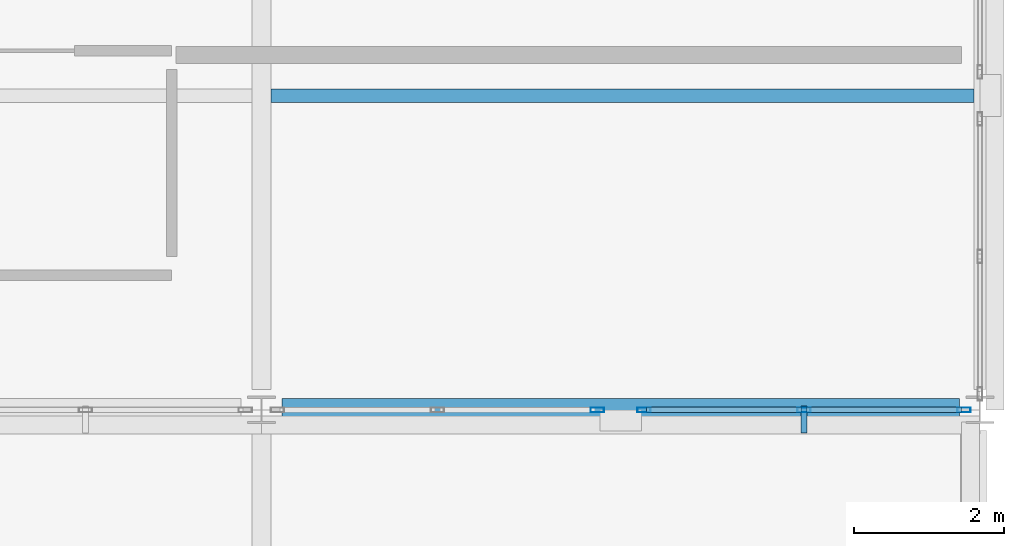
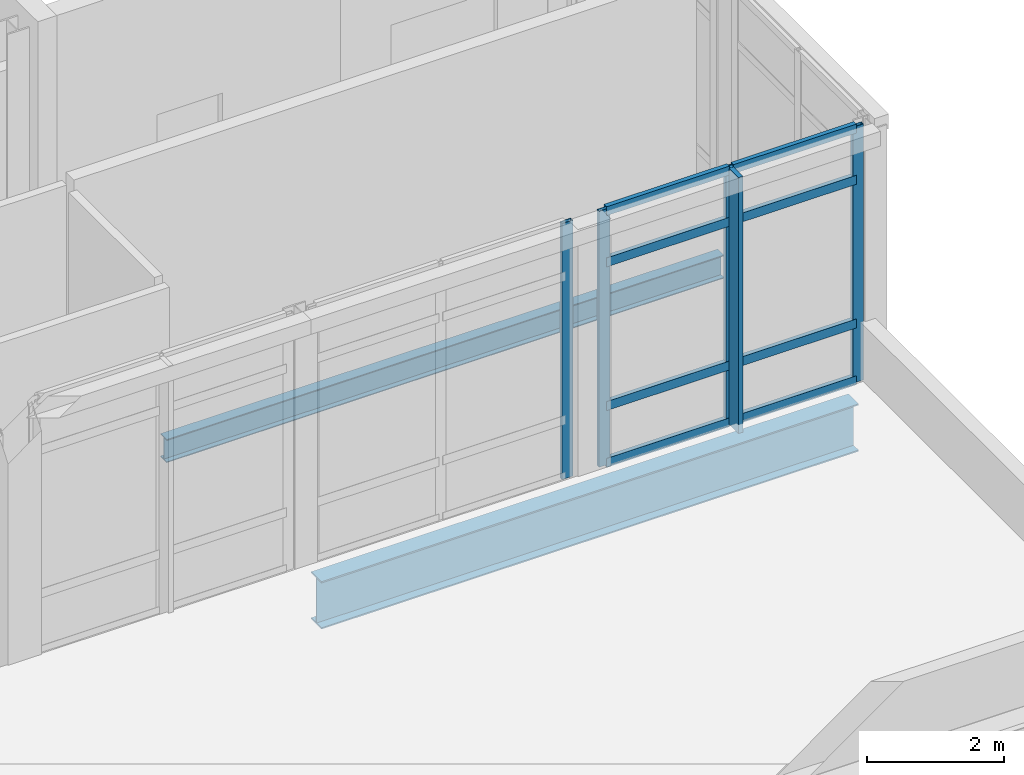
# One storey, part 22 of 52: 13 members, 2 beams, 2 elements without a shape of their own.
"""IFC4 building model written with IfcOpenShell, lengths in metres."""

from ifc_helpers import new_model, si_unit, direction, frame, origin, origin_2d, place, context, subcontext, project, spatial, rectangle, hollow_rectangle, i_section, extrude, material, layer, layer_set, material_profile, profile_set, type_object, element, aggregate, save


model = new_model("IFC4")

# Units and contexts
model_context = context("Model", 3, precision=1e-05, world=origin(), true_north=direction((0.0, 1.0)))
body_context = subcontext(model_context, "Body", "Model", "MODEL_VIEW")
ifc_project = project(units=[si_unit("LENGTHUNIT", "METRE"), si_unit("AREAUNIT", "SQUARE_METRE"), si_unit("VOLUMEUNIT", "CUBIC_METRE"), si_unit("PLANEANGLEUNIT", "RADIAN"), si_unit("MASSUNIT", "GRAM", prefix="KILO")], contexts=[model_context])

# Site, building, storey
site_placement = place(None, origin())
site = spatial("IfcSite", under=ifc_project, at=site_placement, CompositionType="ELEMENT")
building_placement = place(site_placement, origin())
building = spatial("IfcBuilding", under=site, at=building_placement, Name="Lornevale Opera House", CompositionType="ELEMENT")
storey_placement = place(building_placement, frame((0.0, 0.0, 15.0)))
storey = spatial("IfcBuildingStorey", under=building, at=storey_placement, Name="L04", CompositionType="ELEMENT", Elevation=15.0)

# Curtain wall, members
ifc_material_1 = material(Name="Anodized Oxide-Green Aluminium Framing", Category="aluminium")
ifc_layer = layer(ifc_material_1, 0.18505859375)
ifc_layer_set = layer_set([ifc_layer], Name="Anodized Oxide-Green Aluminium Framing")
curtain_wall_type = type_object("IfcCurtainWallType", Name="Conservatory Curtain Wall M2100", PredefinedType="NOTDEFINED", material=ifc_layer_set)
curtain_wall_1_placement = place(storey_placement, origin())
curtain_wall_1 = element("IfcCurtainWall", 1, at=curtain_wall_1_placement, inside=storey, type_object=curtain_wall_type, Name="Conservatory Curtain Wall M2100 CW-161", PredefinedType="NOTDEFINED")
ifc_material_profile_1 = material_profile(ifc_material_1, hollow_rectangle(XDim=0.06494140625, YDim=0.179931640625, WallThickness=0.0048828125, at=origin_2d()), Name="ALU65x180x5")
ifc_profile_set_1 = profile_set([ifc_material_profile_1], Name="Anodized Oxide-Green Aluminium Framing")
member_type_1 = type_object("IfcMemberType", Name="Curtain Wall Mullion 65x180", PredefinedType="MULLION", material=ifc_profile_set_1)
member_1_placement = place(storey_placement, frame((143.784912109375, 25.199951171875, 0.0), z_axis=(0.0, 0.0, 1.0), x_axis=(0.0, -1.0, 0.0)))
member_1 = element("IfcMember", 2, at=member_1_placement, type_object=member_type_1, Name="Curtain Wall Mullion 65x180 CW3289", PredefinedType="MULLION", context=body_context, shape_type="SweptSolid", body=[
    extrude(hollow_rectangle(XDim=0.06494140625, YDim=0.179931640625, WallThickness=0.0048828125, at=origin_2d()), origin(), (0.0, 0.0, 1.0), 4.56005859375),
])
member_2_placement = place(storey_placement, frame((141.648681640625, 25.199951171875, 0.0), z_axis=(0.0, 0.0, 1.0), x_axis=(0.0, -1.0, 0.0)))
member_2 = element("IfcMember", 3, at=member_2_placement, type_object=member_type_1, Name="Curtain Wall Mullion 65x180 CW3290", PredefinedType="MULLION", context=body_context, shape_type="SweptSolid", body=[
    extrude(hollow_rectangle(XDim=0.06494140625, YDim=0.179931640625, WallThickness=0.0048828125, at=origin_2d()), origin(), (0.0, 0.0, 1.0), 4.56005859375),
])
member_3_placement = place(storey_placement, frame((139.512451171875, 25.199951171875, 0.0), z_axis=(0.0, 0.0, 1.0), x_axis=(0.0, -1.0, 0.0)))
member_3 = element("IfcMember", 4, at=member_3_placement, type_object=member_type_1, Name="Curtain Wall Mullion 65x180 CW3291", PredefinedType="MULLION", context=body_context, shape_type="SweptSolid", body=[
    extrude(hollow_rectangle(XDim=0.06494140625, YDim=0.179931640625, WallThickness=0.0048828125, at=origin_2d()), origin(), (0.0, 0.0, 1.0), 4.56005859375),
])

# Curtain wall, member
curtain_wall_2_placement = place(storey_placement, origin())
curtain_wall_2 = element("IfcCurtainWall", 5, at=curtain_wall_2_placement, inside=storey, type_object=curtain_wall_type, Name="Conservatory Curtain Wall M2100 CW-162", PredefinedType="NOTDEFINED")
member_4_placement = place(storey_placement, frame((138.887451171875, 25.199951171875, 0.0), z_axis=(0.0, 0.0, 1.0), x_axis=(0.0, -1.0, 0.0)))
member_4 = element("IfcMember", 6, at=member_4_placement, type_object=member_type_1, Name="Curtain Wall Mullion 65x180 CW3306", PredefinedType="MULLION", context=body_context, shape_type="SweptSolid", body=[
    extrude(hollow_rectangle(XDim=0.06494140625, YDim=0.179931640625, WallThickness=0.0048828125, at=origin_2d()), origin(), (0.0, 0.0, 1.0), 4.56005859375),
])
aggregate(curtain_wall_2, [member_4])

# Member
ifc_material_profile_2 = material_profile(ifc_material_1, hollow_rectangle(XDim=0.074951171875, YDim=0.159912109375, WallThickness=0.0048828125, at=origin_2d()), Name="ALU75x160x5")
ifc_profile_set_2 = profile_set([ifc_material_profile_2], Name="Anodized Oxide-Green Aluminium Framing")
member_type_2 = type_object("IfcMemberType", Name="Curtain Wall Transom 75x160", PredefinedType="USERDEFINED", material=ifc_profile_set_2)
member_5_placement = place(storey_placement, frame((143.75244140625, 25.199951171875, 0.03759765625), z_axis=(-1.0, 0.0, 0.0), x_axis=(0.0, -1.0, 0.0)))
member_5 = element("IfcMember", 7, at=member_5_placement, type_object=member_type_2, Name="Curtain Wall Transom 75x160 CW3292", ObjectType="TRANSOM", PredefinedType="USERDEFINED", context=body_context, shape_type="SweptSolid", body=[
    extrude(hollow_rectangle(XDim=0.074951171875, YDim=0.159912109375, WallThickness=0.0048828125, at=origin_2d()), origin(), (0.0, 0.0, 1.0), 2.071044921875),
])

member_6_placement = place(storey_placement, frame((143.75244140625, 25.199951171875, 1.050048828125), z_axis=(-1.0, 0.0, 0.0), x_axis=(0.0, -1.0, 0.0)))
member_6 = element("IfcMember", 8, at=member_6_placement, type_object=member_type_2, Name="Curtain Wall Transom 75x160 CW3293", ObjectType="TRANSOM", PredefinedType="USERDEFINED", context=body_context, shape_type="SweptSolid", body=[
    extrude(hollow_rectangle(XDim=0.074951171875, YDim=0.159912109375, WallThickness=0.0048828125, at=origin_2d()), origin(), (0.0, 0.0, 1.0), 2.071044921875),
])

member_7_placement = place(storey_placement, frame((143.75244140625, 25.199951171875, 3.610107421875), z_axis=(-1.0, 0.0, 0.0), x_axis=(0.0, -1.0, 0.0)))
member_7 = element("IfcMember", 9, at=member_7_placement, type_object=member_type_2, Name="Curtain Wall Transom 75x160 CW3294", ObjectType="TRANSOM", PredefinedType="USERDEFINED", context=body_context, shape_type="SweptSolid", body=[
    extrude(hollow_rectangle(XDim=0.074951171875, YDim=0.159912109375, WallThickness=0.0048828125, at=origin_2d()), origin(), (0.0, 0.0, 1.0), 2.071044921875),
])

member_8_placement = place(storey_placement, frame((143.75244140625, 25.199951171875, 4.5224609375), z_axis=(-1.0, 0.0, 0.0), x_axis=(0.0, -1.0, 0.0)))
member_8 = element("IfcMember", 10, at=member_8_placement, type_object=member_type_2, Name="Curtain Wall Transom 75x160 CW3295", ObjectType="TRANSOM", PredefinedType="USERDEFINED", context=body_context, shape_type="SweptSolid", body=[
    extrude(hollow_rectangle(XDim=0.074951171875, YDim=0.159912109375, WallThickness=0.0048828125, at=origin_2d()), origin(), (0.0, 0.0, 1.0), 2.071044921875),
])

member_9_placement = place(storey_placement, frame((141.6162109375, 25.199951171875, 0.03759765625), z_axis=(-1.0, 0.0, 0.0), x_axis=(0.0, -1.0, 0.0)))
member_9 = element("IfcMember", 11, at=member_9_placement, type_object=member_type_2, Name="Curtain Wall Transom 75x160 CW3299", ObjectType="TRANSOM", PredefinedType="USERDEFINED", context=body_context, shape_type="SweptSolid", body=[
    extrude(hollow_rectangle(XDim=0.074951171875, YDim=0.159912109375, WallThickness=0.0048828125, at=origin_2d()), origin(), (0.0, 0.0, 1.0), 2.0712890625),
])

member_10_placement = place(storey_placement, frame((141.6162109375, 25.199951171875, 1.050048828125), z_axis=(-1.0, 0.0, 0.0), x_axis=(0.0, -1.0, 0.0)))
member_10 = element("IfcMember", 12, at=member_10_placement, type_object=member_type_2, Name="Curtain Wall Transom 75x160 CW3300", ObjectType="TRANSOM", PredefinedType="USERDEFINED", context=body_context, shape_type="SweptSolid", body=[
    extrude(hollow_rectangle(XDim=0.074951171875, YDim=0.159912109375, WallThickness=0.0048828125, at=origin_2d()), origin(), (0.0, 0.0, 1.0), 2.0712890625),
])

member_11_placement = place(storey_placement, frame((141.6162109375, 25.199951171875, 3.610107421875), z_axis=(-1.0, 0.0, 0.0), x_axis=(0.0, -1.0, 0.0)))
member_11 = element("IfcMember", 13, at=member_11_placement, type_object=member_type_2, Name="Curtain Wall Transom 75x160 CW3301", ObjectType="TRANSOM", PredefinedType="USERDEFINED", context=body_context, shape_type="SweptSolid", body=[
    extrude(hollow_rectangle(XDim=0.074951171875, YDim=0.159912109375, WallThickness=0.0048828125, at=origin_2d()), origin(), (0.0, 0.0, 1.0), 2.0712890625),
])

member_12_placement = place(storey_placement, frame((141.6162109375, 25.199951171875, 4.5224609375), z_axis=(-1.0, 0.0, 0.0), x_axis=(0.0, -1.0, 0.0)))
member_12 = element("IfcMember", 14, at=member_12_placement, type_object=member_type_2, Name="Curtain Wall Transom 75x160 CW3302", ObjectType="TRANSOM", PredefinedType="USERDEFINED", context=body_context, shape_type="SweptSolid", body=[
    extrude(hollow_rectangle(XDim=0.074951171875, YDim=0.159912109375, WallThickness=0.0048828125, at=origin_2d()), origin(), (0.0, 0.0, 1.0), 2.0712890625),
])

ifc_material_2 = material(Name="Architectural Bronze Solar Louvre Alloy", Category="metal")
ifc_material_profile_3 = material_profile(ifc_material_2, rectangle(XDim=0.080078125, YDim=0.360107421875, at=origin_2d()), Name="FIN80x360")
ifc_profile_set_3 = profile_set([ifc_material_profile_3], Name="Architectural Bronze Solar Louvre Alloy")
member_type_3 = type_object("IfcMemberType", Name="Solar Shading Fin 80x360", PredefinedType="USERDEFINED", material=ifc_profile_set_3)
member_13_placement = place(storey_placement, frame((141.648681640625, 25.073974609375, 0.0), z_axis=(0.0, 0.0, 1.0), x_axis=(-1.0, 0.0, 0.0)))
member_13 = element("IfcMember", 15, at=member_13_placement, type_object=member_type_3, Name="Solar Shading Fin 80x360 FIN0066", ObjectType="SOLAR FIN", PredefinedType="USERDEFINED", context=body_context, shape_type="SweptSolid", body=[
    extrude(rectangle(XDim=0.080078125, YDim=0.360107421875, at=origin_2d()), origin(), (0.0, 0.0, 1.0), 4.56005859375),
])

aggregate(curtain_wall_1, [member_1, member_2, member_3, member_5, member_6, member_7, member_8, member_9, member_10, member_11, member_12, member_13])

# Beams
ifc_material_3 = material(Name="Structural Steel CSA G40.21 Grade 350W (350 MPa)", Category="steel")
ifc_material_profile_4 = material_profile(ifc_material_3, i_section(OverallWidth=0.299072265625, OverallDepth=0.845947265625, WebThickness=0.015380859375, FlangeThickness=0.0244140625, at=origin_2d()), Name="W840x210")
ifc_profile_set_4 = profile_set([ifc_material_profile_4], Name="Structural Steel CSA G40.21 Grade 350W (350 MPa)")
beam_type_1 = type_object("IfcBeamType", Name="Steel Clear-Span Girder W840x210", PredefinedType="USERDEFINED", material=ifc_profile_set_4)
beam_1_placement = place(storey_placement, frame((134.675048828125, 25.199951171875, -0.72802734375), z_axis=(1.0, 0.0, 0.0), x_axis=(0.0, 1.0, 0.0)))
element("IfcBeam", 16, at=beam_1_placement, inside=storey, type_object=beam_type_1, Name="Steel Clear-Span Girder W840x210 2478", ObjectType="GIRDER", PredefinedType="USERDEFINED", context=body_context, shape_type="SweptSolid", body=[
    extrude(i_section(OverallWidth=0.299072265625, OverallDepth=0.845947265625, WebThickness=0.015380859375, FlangeThickness=0.0244140625, at=origin_2d()), origin(), (0.0, 0.0, 1.0), 9.050048828125),
])
ifc_material_profile_5 = material_profile(ifc_material_3, i_section(OverallWidth=0.179931640625, OverallDepth=0.4130859375, WebThickness=0.009765625, FlangeThickness=0.01611328125, at=origin_2d()), Name="W410x74")
ifc_profile_set_5 = profile_set([ifc_material_profile_5], Name="Structural Steel CSA G40.21 Grade 350W (350 MPa)")
beam_type_2 = type_object("IfcBeamType", Name="Steel Floor Joist W410x74", PredefinedType="JOIST", material=ifc_profile_set_5)
beam_2_placement = place(storey_placement, frame((134.527099609375, 29.39990234375, -0.511474609375), z_axis=(1.0, 0.0, 0.0), x_axis=(0.0, 1.0, 0.0)))
element("IfcBeam", 17, at=beam_2_placement, inside=storey, type_object=beam_type_2, Name="Steel Floor Joist W410x74 2708", PredefinedType="JOIST", context=body_context, shape_type="SweptSolid", body=[
    extrude(i_section(OverallWidth=0.179931640625, OverallDepth=0.4130859375, WebThickness=0.009765625, FlangeThickness=0.01611328125, at=origin_2d()), origin(), (0.0, 0.0, 1.0), 9.389404296875),
])

save(model, "model.ifc")
